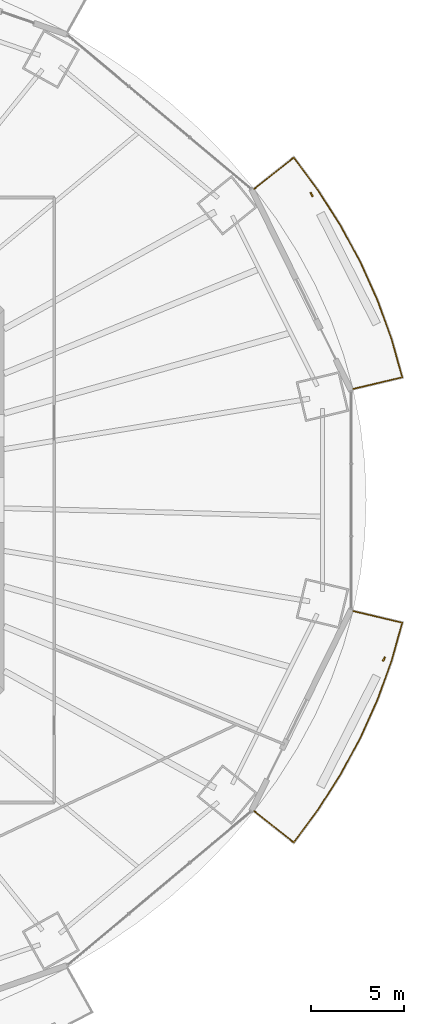
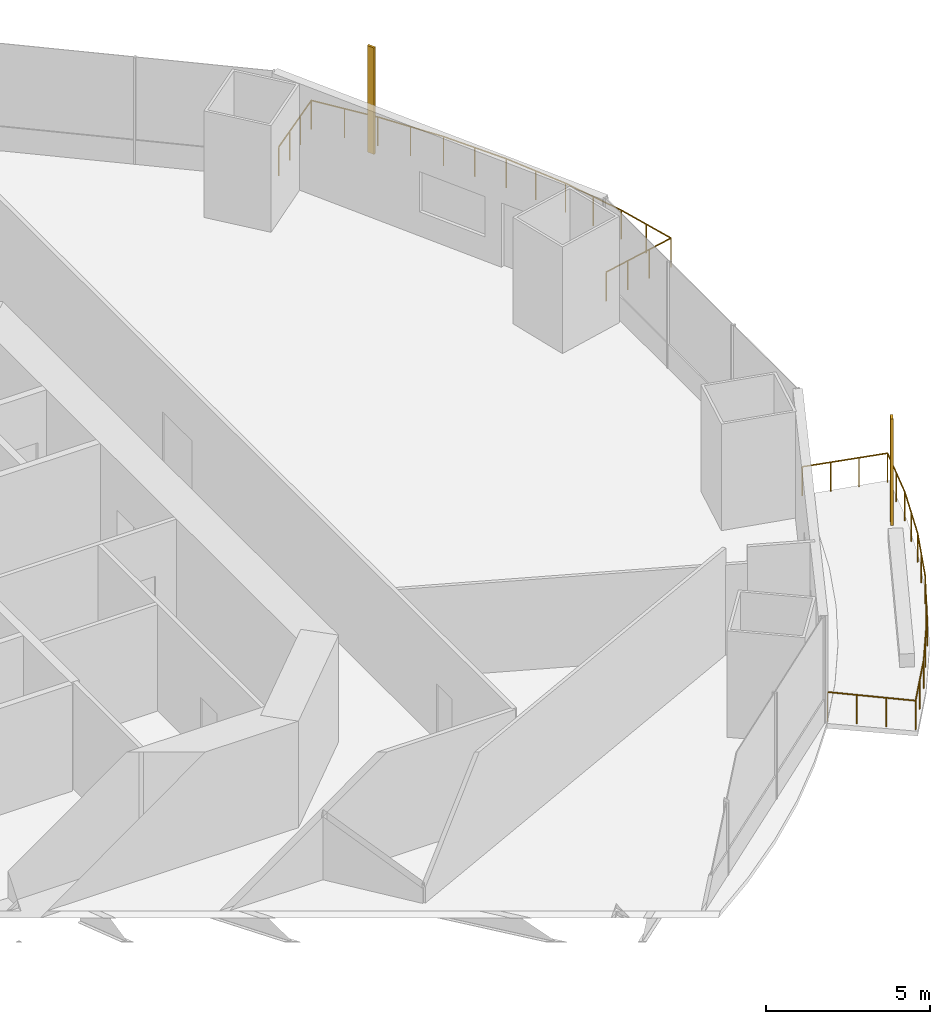
# One storey, part 22 of 23: 2 railings, 2 shading devices.
"""IFC4 building model written with IfcOpenShell, lengths in metres."""

from ifc_helpers import new_model, si_unit, direction, frame, origin, origin_2d, place, context, subcontext, project, spatial, rectangle, circle, extrude, material, material_profile, profile_set, type_object, element, save


model = new_model("IFC4")

# Units and contexts
model_context = context("Model", 3, precision=1e-05, world=origin(), true_north=direction((0.0, 1.0)))
body_context = subcontext(model_context, "Body", "Model", "MODEL_VIEW")
ifc_project = project(units=[si_unit("LENGTHUNIT", "METRE"), si_unit("AREAUNIT", "SQUARE_METRE"), si_unit("VOLUMEUNIT", "CUBIC_METRE"), si_unit("PLANEANGLEUNIT", "RADIAN"), si_unit("MASSUNIT", "GRAM", prefix="KILO")], contexts=[model_context])

# Site, building, storey
site_placement = place(None, origin())
site = spatial("IfcSite", under=ifc_project, at=site_placement, CompositionType="ELEMENT")
building_placement = place(site_placement, origin())
building = spatial("IfcBuilding", under=site, at=building_placement, Name="Marenthal Gate Tower", CompositionType="ELEMENT")
storey_placement = place(building_placement, frame((0.0, 0.0, 66.199951171875)))
storey = spatial("IfcBuildingStorey", under=building, at=storey_placement, Name="L12", CompositionType="ELEMENT", Elevation=66.199951171875)

# Railings
ifc_material_1 = material(Name="Stainless steel", Category="steel")
railing_type = type_object("IfcRailingType", Name="Balcony guard 1100", PredefinedType="GUARDRAIL", material=ifc_material_1)
railing_1_placement = place(storey_placement, frame((30.078369140625, 16.754150390625, 0.0)))
element("IfcRailing", 1, at=railing_1_placement, inside=storey, type_object=railing_type, Name="Balcony guard L12 bay 1", PredefinedType="GUARDRAIL", context=body_context, shape_type="SweptSolid", body=[
    extrude(circle(Radius=0.02392578125, at=origin_2d()), frame((0.0, 0.0, 1.076171875), z_axis=(0.782104673264, 0.6229732083, -0.014719436128), x_axis=(-0.623040706516, 0.782189413137, 0.0)), (0.0, 0.0, 1.0), 2.72021484375),
    extrude(circle(Radius=0.02392578125, at=origin_2d()), frame((2.12744140625, 1.694580078125, 1.0361328125), z_axis=(0.59484873049, -0.803837662613, 0.0), x_axis=(0.803837662613, 0.59484873049, 0.0)), (0.0, 0.0, 1.0), 2.204345703125),
    extrude(circle(Radius=0.02392578125, at=origin_2d()), frame((3.438720703125, -0.077392578125, 1.0361328125), z_axis=(0.537628198706, -0.843182020655, 0.0), x_axis=(0.843182020655, 0.537628198706, 0.0)), (0.0, 0.0, 1.0), 2.26611328125),
    extrude(circle(Radius=0.02392578125, at=origin_2d()), frame((4.656982421875, -1.988037109375, 1.0361328125), z_axis=(0.475471623431, -0.879731058513, 0.0), x_axis=(0.879731058513, 0.475471623431, 0.0)), (0.0, 0.0, 1.0), 2.2490234375),
    extrude(circle(Radius=0.02392578125, at=origin_2d()), frame((5.726318359375, -3.966552734375, 1.0361328125), z_axis=(0.40966465878, -0.912236190549, 0.0), x_axis=(0.912236190549, 0.40966465878, 0.0)), (0.0, 0.0, 1.0), 2.233642578125),
    extrude(circle(Radius=0.02392578125, at=origin_2d()), frame((6.641357421875, -6.004150390625, 1.0361328125), z_axis=(0.340268465621, -0.94032833165, 0.0), x_axis=(0.94032833165, 0.340268465621, 0.0)), (0.0, 0.0, 1.0), 2.220703125),
    extrude(circle(Radius=0.02392578125, at=origin_2d()), frame((7.39697265625, -8.09228515625, 1.0361328125), z_axis=(0.269464118276, -0.96301043035, 0.0), x_axis=(0.96301043035, 0.269464118276, 0.0)), (0.0, 0.0, 1.0), 2.130126953125),
    extrude(circle(Radius=0.02392578125, at=origin_2d()), frame((7.970947265625, -10.1435546875, 1.0361328125), z_axis=(-0.972926666051, -0.23064491576, 0.014718196959), x_axis=(0.230669901584, -0.973032063451, 0.0)), (0.0, 0.0, 1.0), 2.720458984375),
    extrude(circle(Radius=0.02099609375, at=origin_2d()), origin(), (0.0, 0.0, 1.0), 1.052001953125),
    extrude(circle(Radius=0.02099609375, at=origin_2d()), frame((0.709228515625, 0.56494140625, -0.013427734375)), (0.0, 0.0, 1.0), 1.052001953125),
    extrude(circle(Radius=0.02099609375, at=origin_2d()), frame((1.418212890625, 1.129638671875, -0.026611328125)), (0.0, 0.0, 1.0), 1.052001953125),
    extrude(circle(Radius=0.02099609375, at=origin_2d()), frame((2.12744140625, 1.694580078125, -0.0400390625)), (0.0, 0.0, 1.0), 1.052001953125),
    extrude(circle(Radius=0.02099609375, at=origin_2d()), frame((2.783203125, 0.80859375, -0.0400390625)), (0.0, 0.0, 1.0), 1.052001953125),
    extrude(circle(Radius=0.02099609375, at=origin_2d()), frame((3.438720703125, -0.077392578125, -0.0400390625)), (0.0, 0.0, 1.0), 1.052001953125),
    extrude(circle(Radius=0.02099609375, at=origin_2d()), frame((4.0478515625, -1.03271484375, -0.0400390625)), (0.0, 0.0, 1.0), 1.052001953125),
    extrude(circle(Radius=0.02099609375, at=origin_2d()), frame((4.656982421875, -1.988037109375, -0.0400390625)), (0.0, 0.0, 1.0), 1.052001953125),
    extrude(circle(Radius=0.02099609375, at=origin_2d()), frame((5.191650390625, -2.977294921875, -0.0400390625)), (0.0, 0.0, 1.0), 1.052001953125),
    extrude(circle(Radius=0.02099609375, at=origin_2d()), frame((5.726318359375, -3.966552734375, -0.0400390625)), (0.0, 0.0, 1.0), 1.052001953125),
    extrude(circle(Radius=0.02099609375, at=origin_2d()), frame((6.183837890625, -4.9853515625, -0.0400390625)), (0.0, 0.0, 1.0), 1.052001953125),
    extrude(circle(Radius=0.02099609375, at=origin_2d()), frame((6.641357421875, -6.004150390625, -0.0400390625)), (0.0, 0.0, 1.0), 1.052001953125),
    extrude(circle(Radius=0.02099609375, at=origin_2d()), frame((7.01904296875, -7.04833984375, -0.0400390625)), (0.0, 0.0, 1.0), 1.052001953125),
    extrude(circle(Radius=0.02099609375, at=origin_2d()), frame((7.39697265625, -8.09228515625, -0.0400390625)), (0.0, 0.0, 1.0), 1.052001953125),
    extrude(circle(Radius=0.02099609375, at=origin_2d()), frame((7.68408203125, -9.117919921875, -0.0400390625)), (0.0, 0.0, 1.0), 1.052001953125),
    extrude(circle(Radius=0.02099609375, at=origin_2d()), frame((7.970947265625, -10.1435546875, -0.0400390625)), (0.0, 0.0, 1.0), 1.052001953125),
    extrude(circle(Radius=0.02099609375, at=origin_2d()), frame((7.088623046875, -10.352783203125, -0.026611328125)), (0.0, 0.0, 1.0), 1.052001953125),
    extrude(circle(Radius=0.02099609375, at=origin_2d()), frame((6.20654296875, -10.561767578125, -0.013427734375)), (0.0, 0.0, 1.0), 1.052001953125),
    extrude(circle(Radius=0.02099609375, at=origin_2d()), frame((5.32421875, -10.77099609375, 0.0)), (0.0, 0.0, 1.0), 1.052001953125),
])
railing_2_placement = place(storey_placement, frame((35.402587890625, -5.983154296875, 0.0)))
element("IfcRailing", 2, at=railing_2_placement, inside=storey, type_object=railing_type, Name="Balcony guard L12 bay 15", PredefinedType="GUARDRAIL", context=body_context, shape_type="SweptSolid", body=[
    extrude(circle(Radius=0.02392578125, at=origin_2d()), frame((0.0, 0.0, 1.076171875), z_axis=(0.972926666051, -0.23064491576, -0.014718196959), x_axis=(0.230669901584, 0.973032063451, 0.0)), (0.0, 0.0, 1.0), 2.720458984375),
    extrude(circle(Radius=0.02392578125, at=origin_2d()), frame((2.646728515625, -0.62744140625, 1.0361328125), z_axis=(-0.269464118276, -0.96301043035, 0.0), x_axis=(0.96301043035, -0.269464118276, 0.0)), (0.0, 0.0, 1.0), 2.130126953125),
    extrude(circle(Radius=0.02392578125, at=origin_2d()), frame((2.07275390625, -2.6787109375, 1.0361328125), z_axis=(-0.340268465621, -0.94032833165, 0.0), x_axis=(0.94032833165, -0.340268465621, 0.0)), (0.0, 0.0, 1.0), 2.220703125),
    extrude(circle(Radius=0.02392578125, at=origin_2d()), frame((1.317138671875, -4.766845703125, 1.0361328125), z_axis=(-0.40966465878, -0.912236190549, 0.0), x_axis=(0.912236190549, -0.40966465878, 0.0)), (0.0, 0.0, 1.0), 2.233642578125),
    extrude(circle(Radius=0.02392578125, at=origin_2d()), frame((0.402099609375, -6.804443359375, 1.0361328125), z_axis=(-0.475471623431, -0.879731058513, 0.0), x_axis=(0.879731058513, -0.475471623431, 0.0)), (0.0, 0.0, 1.0), 2.2490234375),
    extrude(circle(Radius=0.02392578125, at=origin_2d()), frame((-0.667236328125, -8.782958984375, 1.0361328125), z_axis=(-0.537628198706, -0.843182020655, 0.0), x_axis=(0.843182020655, -0.537628198706, 0.0)), (0.0, 0.0, 1.0), 2.26611328125),
    extrude(circle(Radius=0.02392578125, at=origin_2d()), frame((-1.885498046875, -10.693603515625, 1.0361328125), z_axis=(-0.59484873049, -0.803837662613, 0.0), x_axis=(0.803837662613, -0.59484873049, 0.0)), (0.0, 0.0, 1.0), 2.204345703125),
    extrude(circle(Radius=0.02392578125, at=origin_2d()), frame((-3.19677734375, -12.465576171875, 1.0361328125), z_axis=(-0.782104673264, 0.6229732083, 0.014719436128), x_axis=(-0.623040706516, -0.782189413137, 0.0)), (0.0, 0.0, 1.0), 2.72021484375),
    extrude(circle(Radius=0.02099609375, at=origin_2d()), origin(), (0.0, 0.0, 1.0), 1.052001953125),
    extrude(circle(Radius=0.02099609375, at=origin_2d()), frame((0.88232421875, -0.209228515625, -0.013427734375)), (0.0, 0.0, 1.0), 1.052001953125),
    extrude(circle(Radius=0.02099609375, at=origin_2d()), frame((1.764404296875, -0.418212890625, -0.026611328125)), (0.0, 0.0, 1.0), 1.052001953125),
    extrude(circle(Radius=0.02099609375, at=origin_2d()), frame((2.646728515625, -0.62744140625, -0.0400390625)), (0.0, 0.0, 1.0), 1.052001953125),
    extrude(circle(Radius=0.02099609375, at=origin_2d()), frame((2.35986328125, -1.653076171875, -0.0400390625)), (0.0, 0.0, 1.0), 1.052001953125),
    extrude(circle(Radius=0.02099609375, at=origin_2d()), frame((2.07275390625, -2.6787109375, -0.0400390625)), (0.0, 0.0, 1.0), 1.052001953125),
    extrude(circle(Radius=0.02099609375, at=origin_2d()), frame((1.69482421875, -3.72265625, -0.0400390625)), (0.0, 0.0, 1.0), 1.052001953125),
    extrude(circle(Radius=0.02099609375, at=origin_2d()), frame((1.317138671875, -4.766845703125, -0.0400390625)), (0.0, 0.0, 1.0), 1.052001953125),
    extrude(circle(Radius=0.02099609375, at=origin_2d()), frame((0.859619140625, -5.78564453125, -0.0400390625)), (0.0, 0.0, 1.0), 1.052001953125),
    extrude(circle(Radius=0.02099609375, at=origin_2d()), frame((0.402099609375, -6.804443359375, -0.0400390625)), (0.0, 0.0, 1.0), 1.052001953125),
    extrude(circle(Radius=0.02099609375, at=origin_2d()), frame((-0.132568359375, -7.793701171875, -0.0400390625)), (0.0, 0.0, 1.0), 1.052001953125),
    extrude(circle(Radius=0.02099609375, at=origin_2d()), frame((-0.667236328125, -8.782958984375, -0.0400390625)), (0.0, 0.0, 1.0), 1.052001953125),
    extrude(circle(Radius=0.02099609375, at=origin_2d()), frame((-1.2763671875, -9.73828125, -0.0400390625)), (0.0, 0.0, 1.0), 1.052001953125),
    extrude(circle(Radius=0.02099609375, at=origin_2d()), frame((-1.885498046875, -10.693603515625, -0.0400390625)), (0.0, 0.0, 1.0), 1.052001953125),
    extrude(circle(Radius=0.02099609375, at=origin_2d()), frame((-2.541015625, -11.57958984375, -0.0400390625)), (0.0, 0.0, 1.0), 1.052001953125),
    extrude(circle(Radius=0.02099609375, at=origin_2d()), frame((-3.19677734375, -12.465576171875, -0.0400390625)), (0.0, 0.0, 1.0), 1.052001953125),
    extrude(circle(Radius=0.02099609375, at=origin_2d()), frame((-3.906005859375, -11.900634765625, -0.026611328125)), (0.0, 0.0, 1.0), 1.052001953125),
    extrude(circle(Radius=0.02099609375, at=origin_2d()), frame((-4.614990234375, -11.3359375, -0.013427734375)), (0.0, 0.0, 1.0), 1.052001953125),
    extrude(circle(Radius=0.02099609375, at=origin_2d()), frame((-5.32421875, -10.77099609375, 0.0)), (0.0, 0.0, 1.0), 1.052001953125),
])

# Shading devices
ifc_material_2 = material(Name="Terracotta", Category="masonry")
ifc_material_profile = material_profile(ifc_material_2, rectangle(XDim=0.25, YDim=0.080078125, at=origin_2d()), Name="Terracotta baguette 250x80")
ifc_profile_set = profile_set([ifc_material_profile], Name="Terracotta")
shading_device_type = type_object("IfcShadingDeviceType", Name="Terracotta BAGUETTE SCREEN 250x80", PredefinedType="USERDEFINED", material=ifc_profile_set)
for number, where, z_axis, x_axis, name in (
    (3, (33.17041015625, 16.453125, -0.0400390625), (0.0, 0.0, 1.0), (-0.442993196296, 0.896524973459, 0.0), "Terracotta BAGUETTE L12 bay 1R"),
    (4, (37.06591796875, -8.569580078125, -0.0400390625), (0.0, 0.0, 1.0), (0.442993196296, 0.896524973459, 0.0), "Terracotta BAGUETTE L12 bay 15R"),
):
    element("IfcShadingDevice", number, at=place(storey_placement, frame(where, z_axis=z_axis, x_axis=x_axis)), inside=storey, type_object=shading_device_type, Name=name, ObjectType="BAGUETTE SCREEN", PredefinedType="USERDEFINED", context=body_context, shape_type="SweptSolid", body=[
        extrude(rectangle(XDim=0.25, YDim=0.080078125, at=origin_2d()), origin(), (0.0, 0.0, 1.0), 3.969970703125),
    ])

save(model, "model.ifc")
